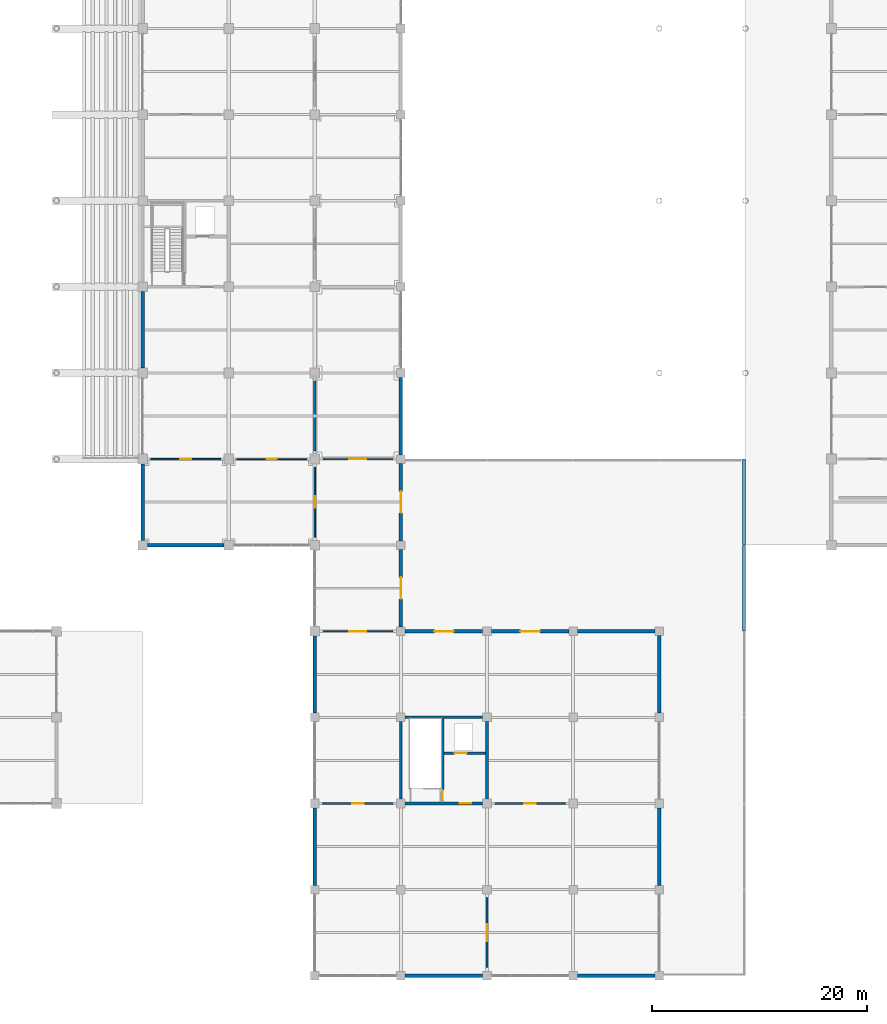
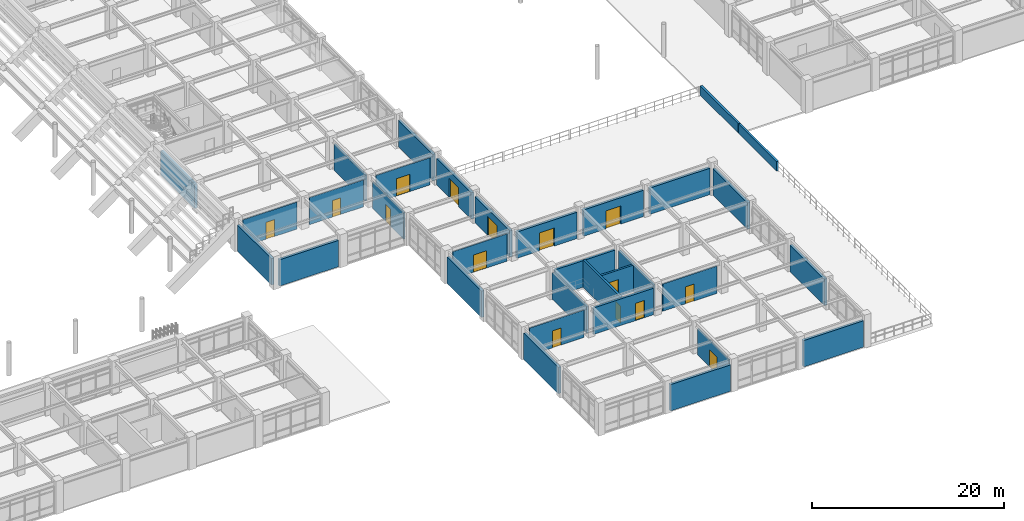
# One storey, part 90 of 118: 32 walls, 15 doors, 15 openings.
"""IFC4 building model written with IfcOpenShell, lengths in metres."""

import ifcopenshell
import ifcopenshell.guid

model = None  # the IFC model being written
_history = None  # IfcOwnerHistory: only IFC2X3 demands one
_inside = {}  # id of a spatial element -> (the spatial element, [elements in it])
_under = {}  # id of a project, library or spatial element -> (it, [spatial elements below it])
_declared = {}  # id of a project -> (the project, [libraries it declares])
_typed = {}  # id of a type object -> (the type object, [elements of that type])
_made_of = {}  # id of a material, layer set ... -> (it, [elements and type objects made of it])


def new_model(schema):
    """Start an empty IFC model of exactly this schema.

    Asked for "IFC4X3", IfcOpenShell would pick the latest addendum, in which some entities
    have other attributes; the version numbers below select the first issue.
    IFC2X3 requires an IfcOwnerHistory on every rooted entity: one is made here for all.
    """
    global model, _history
    if schema == "IFC4X3":
        model = ifcopenshell.file(schema_version=(4, 3, 0, 0))
    else:
        model = ifcopenshell.file(schema=schema)
    _inside.clear()
    _under.clear()
    _declared.clear()
    _typed.clear()
    _made_of.clear()
    _history = None
    if model.schema == "IFC2X3":
        org = make("IfcOrganization", Name="unknown")
        user = make(
            "IfcPersonAndOrganization",
            ThePerson=make("IfcPerson", FamilyName="unknown"),
            TheOrganization=org,
        )
        app = make(
            "IfcApplication",
            ApplicationDeveloper=org,
            Version="unknown",
            ApplicationFullName="unknown",
            ApplicationIdentifier="unknown",
        )
        _history = make(
            "IfcOwnerHistory",
            OwningUser=user,
            OwningApplication=app,
            ChangeAction="ADDED",
            CreationDate=0,
        )
    return model


def make(cls, **values):
    """One entity of the class cls with the attributes given. An attribute that is None is left unset."""
    return model.create_entity(
        cls, **{name: value for name, value in values.items() if value is not None}
    )


def rooted(cls, **values):
    """An entity with a GlobalId (a new one), such as an element, a storey or a relation."""
    return make(cls, GlobalId=ifcopenshell.guid.new(), OwnerHistory=_history, **values)


def si_unit(unit_type, name, prefix=None):
    """IfcSIUnit, for example si_unit("LENGTHUNIT", "METRE", prefix="MILLI")."""
    return make("IfcSIUnit", UnitType=unit_type, Prefix=prefix, Name=name)


def assignment(units):
    """IfcUnitAssignment: the units of a project."""
    return None if units is None else make("IfcUnitAssignment", Units=units)


def point(xyz):
    """IfcCartesianPoint."""
    return None if xyz is None else make("IfcCartesianPoint", Coordinates=xyz)


def direction(xyz):
    """IfcDirection."""
    return None if xyz is None else make("IfcDirection", DirectionRatios=xyz)


def frame(location, z_axis=None, x_axis=None):
    """IfcAxis2Placement3D, a coordinate frame: its origin and axes. An axis left out is left unset."""
    return make(
        "IfcAxis2Placement3D",
        Location=point(location),
        Axis=direction(z_axis),
        RefDirection=direction(x_axis),
    )


def frame_2d(location, x_axis=None):
    """IfcAxis2Placement2D, a coordinate frame in the plane: its origin and x axis."""
    return make(
        "IfcAxis2Placement2D", Location=point(location), RefDirection=direction(x_axis)
    )


def origin():
    """The frame at (0, 0, 0) with its axes left unset."""
    return frame((0.0, 0.0, 0.0))


def place(relative_to, where):
    """IfcLocalPlacement: puts the frame where relative to a parent placement (None: the world)."""
    return make(
        "IfcLocalPlacement", PlacementRelTo=relative_to, RelativePlacement=where
    )


def context(
    kind, dimensions, precision=None, world=None, true_north=None, identifier=None
):
    """IfcGeometricRepresentationContext, for example the 3D "Model" context."""
    return make(
        "IfcGeometricRepresentationContext",
        ContextIdentifier=identifier,
        ContextType=kind,
        CoordinateSpaceDimension=dimensions,
        Precision=precision,
        WorldCoordinateSystem=world,
        TrueNorth=true_north,
    )


def subcontext(parent, identifier, kind, view, scale=None):
    """IfcGeometricRepresentationSubContext, for example "Body" below "Model"."""
    return make(
        "IfcGeometricRepresentationSubContext",
        ContextIdentifier=identifier,
        ContextType=kind,
        ParentContext=parent,
        TargetScale=scale,
        TargetView=view,
    )


def project(units=None, contexts=None):
    """IfcProject with its units and contexts."""
    return rooted(
        "IfcProject",
        Name="project",
        RepresentationContexts=contexts,
        UnitsInContext=assignment(units),
    )


def spatial(cls, under=None, at=None, **own):
    """A site, building, storey or space (cls), placed at a placement, below another one or the project."""
    s = rooted(cls, ObjectPlacement=at, **own)
    if under is not None:
        _under.setdefault(under.id(), (under, []))[1].append(s)
    return s


def profile(cls, at=None, kind="AREA", **sizes):
    """A parametric profile (cls). Its sizes go by their IFC names, for example OverallWidth=200.0."""
    return make(cls, ProfileType=kind, Position=at, **sizes)


def rectangle(**sizes):
    """IfcRectangleProfileDef."""
    return profile("IfcRectangleProfileDef", **sizes)


def extrude(swept, where, along, depth):
    """IfcExtrudedAreaSolid: the profile swept, set in the frame where, extruded along a direction by depth."""
    return make(
        "IfcExtrudedAreaSolid",
        SweptArea=swept,
        Position=where,
        ExtrudedDirection=direction(along),
        Depth=depth,
    )


def shape(context_of_items, identifier, shape_type, items):
    """IfcShapeRepresentation: the items that make up one representation, for example the "Body"."""
    return make(
        "IfcShapeRepresentation",
        ContextOfItems=context_of_items,
        RepresentationIdentifier=identifier,
        RepresentationType=shape_type,
        Items=items,
    )


def material(Name=None, Category=None):
    """IfcMaterial."""
    return make("IfcMaterial", Name=Name, Category=Category)


def layer(
    of_material, thickness, ventilated=None, Name=None, Category=None, Priority=None
):
    """IfcMaterialLayer: one layer of a wall or slab, of a material (None: an air gap)."""
    return make(
        "IfcMaterialLayer",
        Material=of_material,
        LayerThickness=thickness,
        IsVentilated=ventilated,
        Name=Name,
        Category=Category,
        Priority=Priority,
    )


def layer_set(layers, Name=None):
    """IfcMaterialLayerSet."""
    return make("IfcMaterialLayerSet", MaterialLayers=layers, LayerSetName=Name)


def made_of(thing, what):
    """Note that an element or type object is made of a material, layer set ...; save() writes the relation."""
    if what is not None:
        _made_of.setdefault(what.id(), (what, []))[1].append(thing)
    return thing


def type_object(cls, material=None, **own):
    """A type object (cls), such as IfcWallType, which elements share."""
    return made_of(rooted(cls, **own), material)


def element(
    cls,
    number,
    at=None,
    inside=None,
    cuts=None,
    type_object=None,
    material=None,
    context=None,
    identifier="Body",
    shape_type=None,
    held_by="IfcProductDefinitionShape",
    body=None,
    shapes=None,
    **own,
):
    """One element of the class cls, such as IfcWall. Its Tag is "e" and its number.

    at: its placement. inside: the storey or other place that contains it. cuts: it is an
    opening in that element (IfcRelVoidsElement). A single representation is given by context,
    identifier, shape_type and body (its items); several are given by shapes. held_by: the class
    of the entity that holds the representations. save() writes the other relations.
    """
    e = rooted(cls, Tag="e%d" % number, ObjectPlacement=at, **own)
    if body is not None:
        shapes = [shape(context, identifier, shape_type, body)]
    if shapes is not None:
        e.Representation = make(held_by, Representations=shapes)
    if inside is not None:
        _inside.setdefault(inside.id(), (inside, []))[1].append(e)
    if cuts is not None:
        rooted(
            "IfcRelVoidsElement", RelatingBuildingElement=cuts, RelatedOpeningElement=e
        )
    if type_object is not None:
        _typed.setdefault(type_object.id(), (type_object, []))[1].append(e)
    return made_of(e, material)


def fill(opening, filler):
    """IfcRelFillsElement: the door or window that sits in an opening."""
    return rooted(
        "IfcRelFillsElement",
        RelatingOpeningElement=opening,
        RelatedBuildingElement=filler,
    )


def aggregate(whole, parts):
    """IfcRelAggregates: a whole, such as a stair, and the parts it consists of."""
    return rooted("IfcRelAggregates", RelatingObject=whole, RelatedObjects=parts)


def save(model, path):
    """Write the relations noted so far, then the file.

    IfcRelAggregates (storeys below a building ...), IfcRelContainedInSpatialStructure (elements
    in a storey), IfcRelDefinesByType, IfcRelAssociatesMaterial and IfcRelDeclares: one each for
    every whole, place, type object, material and project.
    """
    for whole, parts in _under.values():
        aggregate(whole, parts)
    for where, things in _inside.values():
        rooted(
            "IfcRelContainedInSpatialStructure",
            RelatedElements=things,
            RelatingStructure=where,
        )
    for kind, things in _typed.values():
        rooted("IfcRelDefinesByType", RelatedObjects=things, RelatingType=kind)
    for what, things in _made_of.values():
        rooted("IfcRelAssociatesMaterial", RelatedObjects=things, RelatingMaterial=what)
    for by, libraries in _declared.values():
        rooted("IfcRelDeclares", RelatingContext=by, RelatedDefinitions=libraries)
    model.write(path)


model = new_model("IFC4")

# Units and contexts
model_context = context("Model", 3, precision=1e-05, world=origin(), true_north=direction((0.0, 1.0)))
body_context = subcontext(model_context, "Body", "Model", "MODEL_VIEW")
ifc_project = project(units=[si_unit("LENGTHUNIT", "METRE"), si_unit("AREAUNIT", "SQUARE_METRE"), si_unit("VOLUMEUNIT", "CUBIC_METRE"), si_unit("PLANEANGLEUNIT", "RADIAN"), si_unit("MASSUNIT", "GRAM", prefix="KILO")], contexts=[model_context])

# Site, building, storey
site_placement = place(None, origin())
site = spatial("IfcSite", under=ifc_project, at=site_placement, CompositionType="ELEMENT")
building_placement = place(site_placement, origin())
building = spatial("IfcBuilding", under=site, at=building_placement, Name="Haebicheon Civic Stadium", CompositionType="ELEMENT")
storey_placement = place(building_placement, frame((0.0, 0.0, 14.39990234375)))
storey = spatial("IfcBuildingStorey", under=building, at=storey_placement, Name="L04", CompositionType="ELEMENT", Elevation=14.39990234375)

# Wall, opening, door
ifc_material_1 = material(Name="Concrete C40/50", Category="concrete")
ifc_layer_1 = layer(ifc_material_1, 0.239990234375, Name="Concrete C40/50")
ifc_layer_set_1 = layer_set([ifc_layer_1], Name="Concrete C40/50")
wall_type_1 = type_object("IfcWallType", Name="CW-SHR-240", PredefinedType="SHEAR", material=ifc_layer_set_1)
wall_1_placement = place(storey_placement, frame((168.39990234375, 16.0, 0.0), z_axis=(0.0, 0.0, 1.0), x_axis=(1.0, 0.0, 0.0)))
wall_1 = element("IfcWall", 1, at=wall_1_placement, inside=storey, type_object=wall_type_1, material=ifc_layer_set_1, Name="KC-14 L04 south core shear wall", PredefinedType="SHEAR", context=body_context, shape_type="SweptSolid", body=[
    extrude(rectangle(XDim=7.2001953125, YDim=0.239990234375, at=frame_2d((3.60009765625, 0.0))), origin(), (0.0, 0.0, 1.0), 3.3701171875),
])
opening_1_placement = place(wall_1_placement, frame((5.050048828125, 0.0, 0.0)))
opening_1 = element("IfcOpeningElement", 2, at=opening_1_placement, cuts=wall_1, Name="Opening D-L04-KC-14-LOB", PredefinedType="OPENING", context=body_context, shape_type="SweptSolid", body=[
    extrude(rectangle(XDim=1.10009765625, YDim=2.199951171875, at=frame_2d((0.550048828125, 1.10009765625))), frame((0.0, 0.1298828125, 0.0), z_axis=(0.0, -1.0, 0.0), x_axis=(1.0, 0.0, 0.0)), (0.0, 0.0, 1.0), 0.260009765625),
])
ifc_material_2 = material(Name="Galvanised painted steel SM355", Category="steel")
door_type_1 = type_object("IfcDoorType", Name="ID-FD-1100", OperationType="NOTDEFINED", PredefinedType="DOOR", material=ifc_material_2)
door_1_placement = place(opening_1_placement, origin())
door_1 = element("IfcDoor", 3, at=door_1_placement, inside=storey, type_object=door_type_1, material=ifc_material_2, Name="L04 KC-14 lobby fire door", OperationType="SINGLE_SWING_RIGHT", OverallHeight=2.199951171875, OverallWidth=1.10009765625, PredefinedType="DOOR", context=body_context, shape_type="SweptSolid", body=[
    extrude(rectangle(XDim=1.10009765625, YDim=2.199951171875, at=frame_2d((0.550048828125, 1.10009765625))), frame((0.0, 0.02490234375, 0.0), z_axis=(0.0, -1.0, 0.0), x_axis=(1.0, 0.0, 0.0)), (0.0, 0.0, 1.0), 0.050048828125),
])
fill(opening_1, door_1)

# Walls
for number, where, z_axis, x_axis, name in (
    (4, (168.39990234375, 24.0, 0.0), (0.0, 0.0, 1.0), (1.0, 0.0, 0.0), "KC-14 L04 north core shear wall"),
    (5, (168.0, 16.39990234375, 0.0), (0.0, 0.0, 1.0), (0.0, 1.0, 0.0), "KC-14 L04 west core shear wall"),
    (6, (176.0, 16.39990234375, 0.0), (0.0, 0.0, 1.0), (0.0, 1.0, 0.0), "KC-14 L04 east core shear wall"),
):
    element("IfcWall", number, at=place(storey_placement, frame(where, z_axis=z_axis, x_axis=x_axis)), inside=storey, type_object=wall_type_1, material=ifc_layer_set_1, Name=name, PredefinedType="SHEAR", context=body_context, shape_type="SweptSolid", body=[
        extrude(rectangle(XDim=7.2001953125, YDim=0.239990234375, at=frame_2d((3.60009765625, 0.0))), origin(), (0.0, 0.0, 1.0), 3.3701171875),
    ])

# Wall, opening, door
wall_2_placement = place(storey_placement, frame((171.8798828125, 16.1201171875, 0.0), z_axis=(0.0, 0.0, 1.0), x_axis=(0.0, 1.0, 0.0)))
wall_2 = element("IfcWall", 7, at=wall_2_placement, inside=storey, type_object=wall_type_1, material=ifc_layer_set_1, Name="KC-14 L04 stair-lobby dividing shear wall", PredefinedType="SHEAR", context=body_context, shape_type="SweptSolid", body=[
    extrude(rectangle(XDim=7.759765625, YDim=0.239990234375, at=frame_2d((3.8798828125, 0.0))), origin(), (0.0, 0.0, 1.0), 3.47021484375),
])
opening_2_placement = place(wall_2_placement, frame((0.080078125, 0.0, 0.0)))
opening_2 = element("IfcOpeningElement", 8, at=opening_2_placement, cuts=wall_2, Name="Opening D-L04-KC-14-STR", PredefinedType="OPENING", context=body_context, shape_type="SweptSolid", body=[
    extrude(rectangle(XDim=1.050048828125, YDim=2.14990234375, at=frame_2d((0.52490234375, 1.074951171875))), frame((0.0, 0.1298828125, 0.0), z_axis=(0.0, -1.0, 0.0), x_axis=(1.0, 0.0, 0.0)), (0.0, 0.0, 1.0), 0.260009765625),
])
ifc_material_3 = material(Name="Galvanised painted steel SM355", Category="steel")
door_type_2 = type_object("IfcDoorType", Name="ID-FD-1050", OperationType="NOTDEFINED", PredefinedType="DOOR", material=ifc_material_3)
door_2_placement = place(opening_2_placement, origin())
door_2 = element("IfcDoor", 9, at=door_2_placement, inside=storey, type_object=door_type_2, material=ifc_material_3, Name="L04 ST-14 stairwell escape door", OperationType="SINGLE_SWING_LEFT", OverallHeight=2.14990234375, OverallWidth=1.050048828125, PredefinedType="DOOR", context=body_context, shape_type="SweptSolid", body=[
    extrude(rectangle(XDim=1.050048828125, YDim=2.14990234375, at=frame_2d((0.52490234375, 1.074951171875))), frame((0.0, 0.02490234375, 0.0), z_axis=(0.0, -1.0, 0.0), x_axis=(1.0, 0.0, 0.0)), (0.0, 0.0, 1.0), 0.050048828125),
])
fill(opening_2, door_2)

wall_3_placement = place(storey_placement, frame((172.0, 20.679931640625, 0.0), z_axis=(0.0, 0.0, 1.0), x_axis=(1.0, 0.0, 0.0)))
wall_3 = element("IfcWall", 10, at=wall_3_placement, inside=storey, type_object=wall_type_1, material=ifc_layer_set_1, Name="KC-14 L04 lift shaft front wall", PredefinedType="SHEAR", context=body_context, shape_type="SweptSolid", body=[
    extrude(rectangle(XDim=3.8798828125, YDim=0.239990234375, at=frame_2d((1.93994140625, 0.0))), origin(), (0.0, 0.0, 1.0), 3.3701171875),
])
opening_3_placement = place(wall_3_placement, frame((1.0, 0.0, 0.0)))
opening_3 = element("IfcOpeningElement", 11, at=opening_3_placement, cuts=wall_3, Name="Opening LD-10-L04", PredefinedType="OPENING", context=body_context, shape_type="SweptSolid", body=[
    extrude(rectangle(XDim=1.10009765625, YDim=2.14990234375, at=frame_2d((0.550048828125, 1.074951171875))), frame((0.0, 0.1298828125, 0.0), z_axis=(0.0, -1.0, 0.0), x_axis=(1.0, 0.0, 0.0)), (0.0, 0.0, 1.0), 0.260009765625),
])
ifc_material_4 = material(Name="Stainless steel 316", Category="steel")
door_type_3 = type_object("IfcDoorType", Name="ID-LD-1100", OperationType="NOTDEFINED", PredefinedType="DOOR", material=ifc_material_4)
door_3_placement = place(opening_3_placement, origin())
door_3 = element("IfcDoor", 12, at=door_3_placement, inside=storey, type_object=door_type_3, material=ifc_material_4, Name="LF-10 lift landing sliding door L04", OperationType="SLIDING_TO_LEFT", OverallHeight=2.14990234375, OverallWidth=1.10009765625, PredefinedType="DOOR", context=body_context, shape_type="SweptSolid", body=[
    extrude(rectangle(XDim=1.10009765625, YDim=2.14990234375, at=frame_2d((0.550048828125, 1.074951171875))), frame((0.0, 0.02490234375, 0.0), z_axis=(0.0, -1.0, 0.0), x_axis=(1.0, 0.0, 0.0)), (0.0, 0.0, 1.0), 0.050048828125),
])
fill(opening_3, door_3)

# Walls
ifc_material_5 = material(Name="Precast concrete C40/50", Category="concrete")
ifc_layer_2 = layer(ifc_material_5, 0.320068359375, Name="Precast concrete C40/50")
ifc_layer_set_2 = layer_set([ifc_layer_2], Name="Precast concrete C40/50")
wall_type_2 = type_object("IfcWallType", Name="EW-BM-320", PredefinedType="SOLIDWALL", material=ifc_layer_set_2)
wall_4_placement = place(storey_placement, frame((144.449951171875, 40.0, 0.0), z_axis=(0.0, 0.0, 1.0), x_axis=(1.0, 0.0, 0.0)))
element("IfcWall", 13, at=wall_4_placement, inside=storey, type_object=wall_type_2, material=ifc_layer_set_2, Name="L04 board-marked concrete facade wall 18-05-S", PredefinedType="SOLIDWALL", context=body_context, shape_type="SweptSolid", body=[
    extrude(rectangle(XDim=7.10009765625, YDim=0.320068359375, at=frame_2d((3.550048828125, 0.0))), origin(), (0.0, 0.0, 1.0), 3.35009765625),
])
wall_5_placement = place(storey_placement, frame((144.0, 40.449951171875, 0.0), z_axis=(0.0, 0.0, 1.0), x_axis=(0.0, 1.0, 0.0)))
element("IfcWall", 14, at=wall_5_placement, inside=storey, type_object=wall_type_2, material=ifc_layer_set_2, Name="L04 board-marked concrete facade wall 18-05-W", PredefinedType="SOLIDWALL", context=body_context, shape_type="SweptSolid", body=[
    extrude(rectangle(XDim=7.10009765625, YDim=0.320068359375, at=frame_2d((3.550048828125, 0.0))), origin(), (0.0, 0.0, 1.0), 3.330078125),
])
wall_6_placement = place(storey_placement, frame((144.0, 56.449951171875, 0.0), z_axis=(0.0, 0.0, 1.0), x_axis=(0.0, 1.0, 0.0)))
element("IfcWall", 15, at=wall_6_placement, inside=storey, type_object=wall_type_2, material=ifc_layer_set_2, Name="L04 board-marked concrete facade wall 18-07-W", PredefinedType="SOLIDWALL", context=body_context, shape_type="SweptSolid", body=[
    extrude(rectangle(XDim=7.10009765625, YDim=0.320068359375, at=frame_2d((3.550048828125, 0.0))), origin(), (0.0, 0.0, 1.0), 3.10009765625),
])
wall_7_placement = place(storey_placement, frame((160.0, 8.39990234375, 0.0), z_axis=(0.0, 0.0, 1.0), x_axis=(0.0, 1.0, 0.0)))
element("IfcWall", 16, at=wall_7_placement, inside=storey, type_object=wall_type_2, material=ifc_layer_set_2, Name="L04 board-marked concrete facade wall 20-01-W", PredefinedType="SOLIDWALL", context=body_context, shape_type="SweptSolid", body=[
    extrude(rectangle(XDim=7.2001953125, YDim=0.320068359375, at=frame_2d((3.60009765625, 0.0))), origin(), (0.0, 0.0, 1.0), 3.35009765625),
])
wall_8_placement = place(storey_placement, frame((160.0, 24.39990234375, 0.0), z_axis=(0.0, 0.0, 1.0), x_axis=(0.0, 1.0, 0.0)))
element("IfcWall", 17, at=wall_8_placement, inside=storey, type_object=wall_type_2, material=ifc_layer_set_2, Name="L04 board-marked concrete facade wall 20-03-W", PredefinedType="SOLIDWALL", context=body_context, shape_type="SweptSolid", body=[
    extrude(rectangle(XDim=7.150146484375, YDim=0.320068359375, at=frame_2d((3.5751953125, 0.0))), origin(), (0.0, 0.0, 1.0), 3.35009765625),
])

# Wall, opening, door
wall_9_placement = place(storey_placement, frame((168.0, 32.39990234375, 0.0), z_axis=(0.0, 0.0, 1.0), x_axis=(0.0, 1.0, 0.0)))
wall_9 = element("IfcWall", 18, at=wall_9_placement, inside=storey, type_object=wall_type_2, material=ifc_layer_set_2, Name="L04 board-marked concrete facade wall 21-04-E", PredefinedType="SOLIDWALL", context=body_context, shape_type="SweptSolid", body=[
    extrude(rectangle(XDim=7.2001953125, YDim=0.320068359375, at=frame_2d((3.60009765625, 0.0))), origin(), (0.0, 0.0, 1.0), 3.35009765625),
])
opening_4_placement = place(wall_9_placement, frame((2.60009765625, 0.0, 0.0)))
opening_4 = element("IfcOpeningElement", 19, at=opening_4_placement, cuts=wall_9, Name="Opening TR-D01", PredefinedType="OPENING", context=body_context, shape_type="SweptSolid", body=[
    extrude(rectangle(XDim=2.0, YDim=2.39990234375, at=frame_2d((1.0, 1.199951171875))), frame((0.0, 0.169921875, 0.0), z_axis=(0.0, -1.0, 0.0), x_axis=(1.0, 0.0, 0.0)), (0.0, 0.0, 1.0), 0.340087890625),
])
ifc_material_6 = material(Name="Anodised aluminium and laminated glass", Category="aluminium")
door_type_4 = type_object("IfcDoorType", Name="ED-TERR-2000", OperationType="NOTDEFINED", PredefinedType="DOOR", material=ifc_material_6)
door_4_placement = place(opening_4_placement, origin())
door_4 = element("IfcDoor", 20, at=door_4_placement, inside=storey, type_object=door_type_4, material=ifc_material_6, Name="Terrace exit double door TR-01", OperationType="DOUBLE_SWING_LEFT", OverallHeight=2.39990234375, OverallWidth=2.0, PredefinedType="DOOR", context=body_context, shape_type="SweptSolid", body=[
    extrude(rectangle(XDim=2.0, YDim=2.39990234375, at=frame_2d((1.0, 1.199951171875))), frame((0.0, 0.02490234375, 0.0), z_axis=(0.0, -1.0, 0.0), x_axis=(1.0, 0.0, 0.0)), (0.0, 0.0, 1.0), 0.050048828125),
])
fill(opening_4, door_4)

wall_10_placement = place(storey_placement, frame((168.0, 40.39990234375, 0.0), z_axis=(0.0, 0.0, 1.0), x_axis=(0.0, 1.0, 0.0)))
wall_10 = element("IfcWall", 21, at=wall_10_placement, inside=storey, type_object=wall_type_2, material=ifc_layer_set_2, Name="L04 board-marked concrete facade wall 21-05-E", PredefinedType="SOLIDWALL", context=body_context, shape_type="SweptSolid", body=[
    extrude(rectangle(XDim=7.2001953125, YDim=0.320068359375, at=frame_2d((3.60009765625, 0.0))), origin(), (0.0, 0.0, 1.0), 3.35009765625),
])
opening_5_placement = place(wall_10_placement, frame((2.60009765625, 0.0, 0.0)))
opening_5 = element("IfcOpeningElement", 22, at=opening_5_placement, cuts=wall_10, Name="Opening TR-D02", PredefinedType="OPENING", context=body_context, shape_type="SweptSolid", body=[
    extrude(rectangle(XDim=2.0, YDim=2.39990234375, at=frame_2d((1.0, 1.199951171875))), frame((0.0, 0.169921875, 0.0), z_axis=(0.0, -1.0, 0.0), x_axis=(1.0, 0.0, 0.0)), (0.0, 0.0, 1.0), 0.340087890625),
])
door_5_placement = place(opening_5_placement, origin())
door_5 = element("IfcDoor", 23, at=door_5_placement, inside=storey, type_object=door_type_4, material=ifc_material_6, Name="Terrace exit double door TR-02", OperationType="DOUBLE_SWING_LEFT", OverallHeight=2.39990234375, OverallWidth=2.0, PredefinedType="DOOR", context=body_context, shape_type="SweptSolid", body=[
    extrude(rectangle(XDim=2.0, YDim=2.39990234375, at=frame_2d((1.0, 1.199951171875))), frame((0.0, 0.02490234375, 0.0), z_axis=(0.0, -1.0, 0.0), x_axis=(1.0, 0.0, 0.0)), (0.0, 0.0, 1.0), 0.050048828125),
])
fill(opening_5, door_5)

# Walls
for number, where, z_axis, x_axis, name in (
    (24, (168.0, 48.39990234375, 0.0), (0.0, 0.0, 1.0), (0.0, 1.0, 0.0), "L04 board-marked concrete facade wall 21-06-E"),
    (25, (168.39990234375, 0.0, 0.0), (0.0, 0.0, 1.0), (1.0, 0.0, 0.0), "L04 board-marked concrete facade wall 21-00-S"),
):
    element("IfcWall", number, at=place(storey_placement, frame(where, z_axis=z_axis, x_axis=x_axis)), inside=storey, type_object=wall_type_2, material=ifc_layer_set_2, Name=name, PredefinedType="SOLIDWALL", context=body_context, shape_type="SweptSolid", body=[
        extrude(rectangle(XDim=7.2001953125, YDim=0.320068359375, at=frame_2d((3.60009765625, 0.0))), origin(), (0.0, 0.0, 1.0), 3.35009765625),
    ])

# Wall, opening, door
wall_11_placement = place(storey_placement, frame((168.39990234375, 32.0, 0.0), z_axis=(0.0, 0.0, 1.0), x_axis=(1.0, 0.0, 0.0)))
wall_11 = element("IfcWall", 26, at=wall_11_placement, inside=storey, type_object=wall_type_2, material=ifc_layer_set_2, Name="L04 board-marked concrete facade wall 21-04-N", PredefinedType="SOLIDWALL", context=body_context, shape_type="SweptSolid", body=[
    extrude(rectangle(XDim=7.2001953125, YDim=0.320068359375, at=frame_2d((3.60009765625, 0.0))), origin(), (0.0, 0.0, 1.0), 3.35009765625),
])
opening_6_placement = place(wall_11_placement, frame((2.699951171875, 0.0, 0.0)))
opening_6 = element("IfcOpeningElement", 27, at=opening_6_placement, cuts=wall_11, Name="Opening TR-D04", PredefinedType="OPENING", context=body_context, shape_type="SweptSolid", body=[
    extrude(rectangle(XDim=1.800048828125, YDim=2.300048828125, at=frame_2d((0.89990234375, 1.14990234375))), frame((0.0, 0.169921875, 0.0), z_axis=(0.0, -1.0, 0.0), x_axis=(1.0, 0.0, 0.0)), (0.0, 0.0, 1.0), 0.340087890625),
])
ifc_material_7 = material(Name="Anodised aluminium and laminated glass", Category="aluminium")
door_type_5 = type_object("IfcDoorType", Name="ED-TERR-1800", OperationType="NOTDEFINED", PredefinedType="DOOR", material=ifc_material_7)
door_6_placement = place(opening_6_placement, origin())
door_6 = element("IfcDoor", 28, at=door_6_placement, inside=storey, type_object=door_type_5, material=ifc_material_7, Name="Terrace exit double door TR-04", OperationType="DOUBLE_SWING_LEFT", OverallHeight=2.300048828125, OverallWidth=1.800048828125, PredefinedType="DOOR", context=body_context, shape_type="SweptSolid", body=[
    extrude(rectangle(XDim=1.800048828125, YDim=2.300048828125, at=frame_2d((0.89990234375, 1.14990234375))), frame((0.0, 0.02490234375, 0.0), z_axis=(0.0, -1.0, 0.0), x_axis=(1.0, 0.0, 0.0)), (0.0, 0.0, 1.0), 0.050048828125),
])
fill(opening_6, door_6)

wall_12_placement = place(storey_placement, frame((176.39990234375, 32.0, 0.0), z_axis=(0.0, 0.0, 1.0), x_axis=(1.0, 0.0, 0.0)))
wall_12 = element("IfcWall", 29, at=wall_12_placement, inside=storey, type_object=wall_type_2, material=ifc_layer_set_2, Name="L04 board-marked concrete facade wall 22-04-N", PredefinedType="SOLIDWALL", context=body_context, shape_type="SweptSolid", body=[
    extrude(rectangle(XDim=7.2001953125, YDim=0.320068359375, at=frame_2d((3.60009765625, 0.0))), origin(), (0.0, 0.0, 1.0), 3.35009765625),
])
opening_7_placement = place(wall_12_placement, frame((2.699951171875, 0.0, 0.0)))
opening_7 = element("IfcOpeningElement", 30, at=opening_7_placement, cuts=wall_12, Name="Opening TR-D06", PredefinedType="OPENING", context=body_context, shape_type="SweptSolid", body=[
    extrude(rectangle(XDim=1.800048828125, YDim=2.300048828125, at=frame_2d((0.89990234375, 1.14990234375))), frame((0.0, 0.169921875, 0.0), z_axis=(0.0, -1.0, 0.0), x_axis=(1.0, 0.0, 0.0)), (0.0, 0.0, 1.0), 0.340087890625),
])
door_7_placement = place(opening_7_placement, origin())
door_7 = element("IfcDoor", 31, at=door_7_placement, inside=storey, type_object=door_type_5, material=ifc_material_7, Name="Terrace exit double door TR-06", OperationType="DOUBLE_SWING_LEFT", OverallHeight=2.300048828125, OverallWidth=1.800048828125, PredefinedType="DOOR", context=body_context, shape_type="SweptSolid", body=[
    extrude(rectangle(XDim=1.800048828125, YDim=2.300048828125, at=frame_2d((0.89990234375, 1.14990234375))), frame((0.0, 0.02490234375, 0.0), z_axis=(0.0, -1.0, 0.0), x_axis=(1.0, 0.0, 0.0)), (0.0, 0.0, 1.0), 0.050048828125),
])
fill(opening_7, door_7)

# Walls
for number, where, z_axis, x_axis, name in (
    (32, (184.39990234375, 0.0, 0.0), (0.0, 0.0, 1.0), (1.0, 0.0, 0.0), "L04 board-marked concrete facade wall 23-00-S"),
    (33, (192.0, 8.39990234375, 0.0), (0.0, 0.0, 1.0), (0.0, 1.0, 0.0), "L04 board-marked concrete facade wall 24-01-E"),
    (34, (184.39990234375, 32.0, 0.0), (0.0, 0.0, 1.0), (1.0, 0.0, 0.0), "L04 board-marked concrete facade wall 23-04-N"),
    (35, (192.0, 24.39990234375, 0.0), (0.0, 0.0, 1.0), (0.0, 1.0, 0.0), "L04 board-marked concrete facade wall 24-03-E"),
):
    element("IfcWall", number, at=place(storey_placement, frame(where, z_axis=z_axis, x_axis=x_axis)), inside=storey, type_object=wall_type_2, material=ifc_layer_set_2, Name=name, PredefinedType="SOLIDWALL", context=body_context, shape_type="SweptSolid", body=[
        extrude(rectangle(XDim=7.2001953125, YDim=0.320068359375, at=frame_2d((3.60009765625, 0.0))), origin(), (0.0, 0.0, 1.0), 3.35009765625),
    ])
ifc_material_8 = material(Name="Precast concrete C40/50", Category="concrete")
ifc_layer_3 = layer(ifc_material_8, 0.25, Name="Precast concrete C40/50")
ifc_layer_set_3 = layer_set([ifc_layer_3], Name="Precast concrete C40/50")
wall_type_3 = type_object("IfcWallType", Name="EW-PAR-250", PredefinedType="PARAPET", material=ifc_layer_set_3)
for number, where, z_axis, x_axis, name in (
    (36, (199.8701171875, 32.0400390625, 0.0), (0.0, 0.0, 1.0), (0.0, 1.0, 0.0), "L04 terrace perimeter parapet 24-04-E"),
    (37, (199.8701171875, 40.0400390625, 0.0), (0.0, 0.0, 1.0), (0.0, 1.0, 0.0), "L04 terrace perimeter parapet 24-05-E"),
):
    element("IfcWall", number, at=place(storey_placement, frame(where, z_axis=z_axis, x_axis=x_axis)), inside=storey, type_object=wall_type_3, material=ifc_layer_set_3, Name=name, PredefinedType="PARAPET", context=body_context, shape_type="SweptSolid", body=[
        extrude(rectangle(XDim=7.919921875, YDim=0.25, at=frame_2d((3.9599609375, 0.0))), origin(), (0.0, 0.0, 1.0), 1.2001953125),
    ])
ifc_material_9 = material(Name="Concrete C35/45", Category="concrete")
ifc_layer_4 = layer(ifc_material_9, 0.199951171875, Name="Concrete C35/45")
ifc_layer_set_4 = layer_set([ifc_layer_4], Name="Concrete C35/45")
wall_type_4 = type_object("IfcWallType", Name="IW-FIR-200", PredefinedType="PARTITIONING", material=ifc_layer_set_4)
wall_13_placement = place(storey_placement, frame((160.0, 48.75, 0.0), z_axis=(0.0, 0.0, 1.0), x_axis=(0.0, 1.0, 0.0)))
element("IfcWall", 38, at=wall_13_placement, inside=storey, type_object=wall_type_4, material=ifc_layer_set_4, Name="L04 braced-frame solid fire wall 20-06", PredefinedType="PARTITIONING", context=body_context, shape_type="SweptSolid", body=[
    extrude(rectangle(XDim=6.5, YDim=0.199951171875, at=frame_2d((3.25, 0.0))), origin(), (0.0, 0.0, 1.0), 3.330078125),
])

# Wall, opening, door
ifc_material_10 = material(Name="Anodised aluminium and laminated glass", Category="aluminium")
ifc_layer_5 = layer(ifc_material_10, 0.10009765625, Name="Anodised aluminium and laminated glass")
ifc_layer_set_5 = layer_set([ifc_layer_5], Name="Anodised aluminium and laminated glass")
wall_type_5 = type_object("IfcWallType", Name="IW-PRT-100", PredefinedType="PARTITIONING", material=ifc_layer_set_5)
wall_14_placement = place(storey_placement, frame((152.75, 48.0, 0.0), z_axis=(0.0, 0.0, 1.0), x_axis=(1.0, 0.0, 0.0)))
wall_14 = element("IfcWall", 39, at=wall_14_placement, inside=storey, type_object=wall_type_5, material=ifc_layer_set_5, Name="L04 East Pitch View Lounge partition wall", PredefinedType="PARTITIONING", context=body_context, shape_type="SweptSolid", body=[
    extrude(rectangle(XDim=6.5, YDim=0.10009765625, at=frame_2d((3.25, 0.0))), origin(), (0.0, 0.0, 1.0), 3.43017578125),
])
opening_8_placement = place(wall_14_placement, frame((2.77490234375, 0.0, 0.0)))
opening_8 = element("IfcOpeningElement", 40, at=opening_8_placement, cuts=wall_14, Name="Opening D-L04-391", PredefinedType="OPENING", context=body_context, shape_type="SweptSolid", body=[
    extrude(rectangle(XDim=0.949951171875, YDim=2.10009765625, at=frame_2d((0.47509765625, 1.050048828125))), frame((0.0, 0.06005859375, 0.0), z_axis=(0.0, -1.0, 0.0), x_axis=(1.0, 0.0, 0.0)), (0.0, 0.0, 1.0), 0.1201171875),
])
ifc_material_11 = material(Name="Engineered hardwood timber", Category="wood")
door_type_6 = type_object("IfcDoorType", Name="ID-RM-0950", OperationType="NOTDEFINED", PredefinedType="DOOR", material=ifc_material_11)
door_8_placement = place(opening_8_placement, origin())
door_8 = element("IfcDoor", 41, at=door_8_placement, inside=storey, type_object=door_type_6, material=ifc_material_11, Name="L04 East Pitch View Lounge entrance door D-L04-391", OperationType="SINGLE_SWING_LEFT", OverallHeight=2.10009765625, OverallWidth=0.949951171875, PredefinedType="DOOR", context=body_context, shape_type="SweptSolid", body=[
    extrude(rectangle(XDim=0.949951171875, YDim=2.10009765625, at=frame_2d((0.47509765625, 1.050048828125))), frame((0.0, 0.02490234375, 0.0), z_axis=(0.0, -1.0, 0.0), x_axis=(1.0, 0.0, 0.0)), (0.0, 0.0, 1.0), 0.050048828125),
])
fill(opening_8, door_8)

ifc_material_12 = material(Name="Gypsum plasterboard on steel studs", Category="gypsum")
ifc_layer_6 = layer(ifc_material_12, 0.14990234375, Name="Gypsum plasterboard on steel studs")
ifc_layer_set_6 = layer_set([ifc_layer_6], Name="Gypsum plasterboard on steel studs")
wall_type_6 = type_object("IfcWallType", Name="IW-PRT-150", PredefinedType="PARTITIONING", material=ifc_layer_set_6)
wall_15_placement = place(storey_placement, frame((144.75, 48.0, 0.0), z_axis=(0.0, 0.0, 1.0), x_axis=(1.0, 0.0, 0.0)))
wall_15 = element("IfcWall", 42, at=wall_15_placement, inside=storey, type_object=wall_type_6, material=ifc_layer_set_6, Name="L04 Hospitality Suite partition wall", PredefinedType="PARTITIONING", context=body_context, shape_type="SweptSolid", body=[
    extrude(rectangle(XDim=6.5, YDim=0.14990234375, at=frame_2d((3.25, 0.0))), origin(), (0.0, 0.0, 1.0), 3.43017578125),
])
opening_9_placement = place(wall_15_placement, frame((2.72509765625, 0.0, 0.0)))
opening_9 = element("IfcOpeningElement", 43, at=opening_9_placement, cuts=wall_15, Name="Opening D-L04-390", PredefinedType="OPENING", context=body_context, shape_type="SweptSolid", body=[
    extrude(rectangle(XDim=1.050048828125, YDim=2.14990234375, at=frame_2d((0.52490234375, 1.074951171875))), frame((0.0, 0.0849609375, 0.0), z_axis=(0.0, -1.0, 0.0), x_axis=(1.0, 0.0, 0.0)), (0.0, 0.0, 1.0), 0.169921875),
])
ifc_material_13 = material(Name="Engineered hardwood timber", Category="wood")
door_type_7 = type_object("IfcDoorType", Name="ID-RM-1050", OperationType="NOTDEFINED", PredefinedType="DOOR", material=ifc_material_13)
door_9_placement = place(opening_9_placement, origin())
door_9 = element("IfcDoor", 44, at=door_9_placement, inside=storey, type_object=door_type_7, material=ifc_material_13, Name="L04 Hospitality Suite entrance door D-L04-390", OperationType="SINGLE_SWING_RIGHT", OverallHeight=2.14990234375, OverallWidth=1.050048828125, PredefinedType="DOOR", context=body_context, shape_type="SweptSolid", body=[
    extrude(rectangle(XDim=1.050048828125, YDim=2.14990234375, at=frame_2d((0.52490234375, 1.074951171875))), frame((0.0, 0.02490234375, 0.0), z_axis=(0.0, -1.0, 0.0), x_axis=(1.0, 0.0, 0.0)), (0.0, 0.0, 1.0), 0.050048828125),
])
fill(opening_9, door_9)

wall_16_placement = place(storey_placement, frame((160.75, 16.0, 0.0), z_axis=(0.0, 0.0, 1.0), x_axis=(1.0, 0.0, 0.0)))
wall_16 = element("IfcWall", 45, at=wall_16_placement, inside=storey, type_object=wall_type_6, material=ifc_layer_set_6, Name="L04 Hospitality Suite partition wall", PredefinedType="PARTITIONING", context=body_context, shape_type="SweptSolid", body=[
    extrude(rectangle(XDim=6.5, YDim=0.14990234375, at=frame_2d((3.25, 0.0))), origin(), (0.0, 0.0, 1.0), 3.47021484375),
])
opening_10_placement = place(wall_16_placement, frame((2.72509765625, 0.0, 0.0)))
opening_10 = element("IfcOpeningElement", 46, at=opening_10_placement, cuts=wall_16, Name="Opening D-L04-411", PredefinedType="OPENING", context=body_context, shape_type="SweptSolid", body=[
    extrude(rectangle(XDim=1.050048828125, YDim=2.14990234375, at=frame_2d((0.52490234375, 1.074951171875))), frame((0.0, 0.0849609375, 0.0), z_axis=(0.0, -1.0, 0.0), x_axis=(1.0, 0.0, 0.0)), (0.0, 0.0, 1.0), 0.169921875),
])
door_10_placement = place(opening_10_placement, origin())
door_10 = element("IfcDoor", 47, at=door_10_placement, inside=storey, type_object=door_type_7, material=ifc_material_13, Name="L04 Hospitality Suite entrance door D-L04-411", OperationType="SINGLE_SWING_LEFT", OverallHeight=2.14990234375, OverallWidth=1.050048828125, PredefinedType="DOOR", context=body_context, shape_type="SweptSolid", body=[
    extrude(rectangle(XDim=1.050048828125, YDim=2.14990234375, at=frame_2d((0.52490234375, 1.074951171875))), frame((0.0, 0.02490234375, 0.0), z_axis=(0.0, -1.0, 0.0), x_axis=(1.0, 0.0, 0.0)), (0.0, 0.0, 1.0), 0.050048828125),
])
fill(opening_10, door_10)

wall_17_placement = place(storey_placement, frame((160.75, 32.0, 0.0), z_axis=(0.0, 0.0, 1.0), x_axis=(1.0, 0.0, 0.0)))
wall_17 = element("IfcWall", 48, at=wall_17_placement, inside=storey, type_object=wall_type_6, material=ifc_layer_set_6, Name="L04 Garden Terrace Dining Lounge partition wall", PredefinedType="PARTITIONING", context=body_context, shape_type="SweptSolid", body=[
    extrude(rectangle(XDim=6.5, YDim=0.14990234375, at=frame_2d((3.25, 0.0))), origin(), (0.0, 0.0, 1.0), 3.47021484375),
])
opening_11_placement = place(wall_17_placement, frame((2.449951171875, 0.0, 0.0)))
opening_11 = element("IfcOpeningElement", 49, at=opening_11_placement, cuts=wall_17, Name="Opening D-L04-412", PredefinedType="OPENING", context=body_context, shape_type="SweptSolid", body=[
    extrude(rectangle(XDim=1.60009765625, YDim=2.199951171875, at=frame_2d((0.800048828125, 1.10009765625))), frame((0.0, 0.0849609375, 0.0), z_axis=(0.0, -1.0, 0.0), x_axis=(1.0, 0.0, 0.0)), (0.0, 0.0, 1.0), 0.169921875),
])
ifc_material_14 = material(Name="Anodised aluminium and laminated glass", Category="aluminium")
door_type_8 = type_object("IfcDoorType", Name="ID-DBL-1600", OperationType="NOTDEFINED", PredefinedType="DOOR", material=ifc_material_14)
door_11_placement = place(opening_11_placement, origin())
door_11 = element("IfcDoor", 50, at=door_11_placement, inside=storey, type_object=door_type_8, material=ifc_material_14, Name="L04 Garden Terrace Dining Lounge entrance door D-L04-412", OperationType="DOUBLE_SWING_LEFT", OverallHeight=2.199951171875, OverallWidth=1.60009765625, PredefinedType="DOOR", context=body_context, shape_type="SweptSolid", body=[
    extrude(rectangle(XDim=1.60009765625, YDim=2.199951171875, at=frame_2d((0.800048828125, 1.10009765625))), frame((0.0, 0.02490234375, 0.0), z_axis=(0.0, -1.0, 0.0), x_axis=(1.0, 0.0, 0.0)), (0.0, 0.0, 1.0), 0.050048828125),
])
fill(opening_11, door_11)

wall_18_placement = place(storey_placement, frame((160.0, 40.75, 0.0), z_axis=(0.0, 0.0, 1.0), x_axis=(0.0, 1.0, 0.0)))
wall_18 = element("IfcWall", 51, at=wall_18_placement, inside=storey, type_object=wall_type_6, material=ifc_layer_set_6, Name="L04 Hospitality Suite partition wall", PredefinedType="PARTITIONING", context=body_context, shape_type="SweptSolid", body=[
    extrude(rectangle(XDim=6.5, YDim=0.14990234375, at=frame_2d((3.25, 0.0))), origin(), (0.0, 0.0, 1.0), 3.3701171875),
])
opening_12_placement = place(wall_18_placement, frame((2.72509765625, 0.0, 0.0)))
opening_12 = element("IfcOpeningElement", 52, at=opening_12_placement, cuts=wall_18, Name="Opening D-L04-413", PredefinedType="OPENING", context=body_context, shape_type="SweptSolid", body=[
    extrude(rectangle(XDim=1.050048828125, YDim=2.14990234375, at=frame_2d((0.52490234375, 1.074951171875))), frame((0.0, 0.0849609375, 0.0), z_axis=(0.0, -1.0, 0.0), x_axis=(1.0, 0.0, 0.0)), (0.0, 0.0, 1.0), 0.169921875),
])
door_12_placement = place(opening_12_placement, origin())
door_12 = element("IfcDoor", 53, at=door_12_placement, inside=storey, type_object=door_type_7, material=ifc_material_13, Name="L04 Hospitality Suite entrance door D-L04-413", OperationType="SINGLE_SWING_RIGHT", OverallHeight=2.14990234375, OverallWidth=1.050048828125, PredefinedType="DOOR", context=body_context, shape_type="SweptSolid", body=[
    extrude(rectangle(XDim=1.050048828125, YDim=2.14990234375, at=frame_2d((0.52490234375, 1.074951171875))), frame((0.0, 0.02490234375, 0.0), z_axis=(0.0, -1.0, 0.0), x_axis=(1.0, 0.0, 0.0)), (0.0, 0.0, 1.0), 0.050048828125),
])
fill(opening_12, door_12)

wall_19_placement = place(storey_placement, frame((160.75, 48.0, 0.0), z_axis=(0.0, 0.0, 1.0), x_axis=(1.0, 0.0, 0.0)))
wall_19 = element("IfcWall", 54, at=wall_19_placement, inside=storey, type_object=wall_type_6, material=ifc_layer_set_6, Name="L04 Garden Terrace Dining Lounge partition wall", PredefinedType="PARTITIONING", context=body_context, shape_type="SweptSolid", body=[
    extrude(rectangle(XDim=6.5, YDim=0.14990234375, at=frame_2d((3.25, 0.0))), origin(), (0.0, 0.0, 1.0), 3.47021484375),
])
opening_13_placement = place(wall_19_placement, frame((2.449951171875, 0.0, 0.0)))
opening_13 = element("IfcOpeningElement", 55, at=opening_13_placement, cuts=wall_19, Name="Opening D-L04-414", PredefinedType="OPENING", context=body_context, shape_type="SweptSolid", body=[
    extrude(rectangle(XDim=1.60009765625, YDim=2.199951171875, at=frame_2d((0.800048828125, 1.10009765625))), frame((0.0, 0.0849609375, 0.0), z_axis=(0.0, -1.0, 0.0), x_axis=(1.0, 0.0, 0.0)), (0.0, 0.0, 1.0), 0.169921875),
])
door_13_placement = place(opening_13_placement, origin())
door_13 = element("IfcDoor", 56, at=door_13_placement, inside=storey, type_object=door_type_8, material=ifc_material_14, Name="L04 Garden Terrace Dining Lounge entrance door D-L04-414", OperationType="DOUBLE_SWING_LEFT", OverallHeight=2.199951171875, OverallWidth=1.60009765625, PredefinedType="DOOR", context=body_context, shape_type="SweptSolid", body=[
    extrude(rectangle(XDim=1.60009765625, YDim=2.199951171875, at=frame_2d((0.800048828125, 1.10009765625))), frame((0.0, 0.02490234375, 0.0), z_axis=(0.0, -1.0, 0.0), x_axis=(1.0, 0.0, 0.0)), (0.0, 0.0, 1.0), 0.050048828125),
])
fill(opening_13, door_13)

wall_20_placement = place(storey_placement, frame((176.0, 0.75, 0.0), z_axis=(0.0, 0.0, 1.0), x_axis=(0.0, 1.0, 0.0)))
wall_20 = element("IfcWall", 57, at=wall_20_placement, inside=storey, type_object=wall_type_6, material=ifc_layer_set_6, Name="L04 Garden Terrace Dining Lounge partition wall", PredefinedType="PARTITIONING", context=body_context, shape_type="SweptSolid", body=[
    extrude(rectangle(XDim=6.5, YDim=0.14990234375, at=frame_2d((3.25, 0.0))), origin(), (0.0, 0.0, 1.0), 3.3701171875),
])
opening_14_placement = place(wall_20_placement, frame((2.449951171875, 0.0, 0.0)))
opening_14 = element("IfcOpeningElement", 58, at=opening_14_placement, cuts=wall_20, Name="Opening D-L04-422", PredefinedType="OPENING", context=body_context, shape_type="SweptSolid", body=[
    extrude(rectangle(XDim=1.60009765625, YDim=2.199951171875, at=frame_2d((0.800048828125, 1.10009765625))), frame((0.0, 0.0849609375, 0.0), z_axis=(0.0, -1.0, 0.0), x_axis=(1.0, 0.0, 0.0)), (0.0, 0.0, 1.0), 0.169921875),
])
door_14_placement = place(opening_14_placement, origin())
door_14 = element("IfcDoor", 59, at=door_14_placement, inside=storey, type_object=door_type_8, material=ifc_material_14, Name="L04 Garden Terrace Dining Lounge entrance door D-L04-422", OperationType="DOUBLE_SWING_LEFT", OverallHeight=2.199951171875, OverallWidth=1.60009765625, PredefinedType="DOOR", context=body_context, shape_type="SweptSolid", body=[
    extrude(rectangle(XDim=1.60009765625, YDim=2.199951171875, at=frame_2d((0.800048828125, 1.10009765625))), frame((0.0, 0.02490234375, 0.0), z_axis=(0.0, -1.0, 0.0), x_axis=(1.0, 0.0, 0.0)), (0.0, 0.0, 1.0), 0.050048828125),
])
fill(opening_14, door_14)

wall_21_placement = place(storey_placement, frame((176.75, 16.0, 0.0), z_axis=(0.0, 0.0, 1.0), x_axis=(1.0, 0.0, 0.0)))
wall_21 = element("IfcWall", 60, at=wall_21_placement, inside=storey, type_object=wall_type_6, material=ifc_layer_set_6, Name="L04 Hospitality Suite partition wall", PredefinedType="PARTITIONING", context=body_context, shape_type="SweptSolid", body=[
    extrude(rectangle(XDim=6.5, YDim=0.14990234375, at=frame_2d((3.25, 0.0))), origin(), (0.0, 0.0, 1.0), 3.47021484375),
])
opening_15_placement = place(wall_21_placement, frame((2.72509765625, 0.0, 0.0)))
opening_15 = element("IfcOpeningElement", 61, at=opening_15_placement, cuts=wall_21, Name="Opening D-L04-423", PredefinedType="OPENING", context=body_context, shape_type="SweptSolid", body=[
    extrude(rectangle(XDim=1.050048828125, YDim=2.14990234375, at=frame_2d((0.52490234375, 1.074951171875))), frame((0.0, 0.0849609375, 0.0), z_axis=(0.0, -1.0, 0.0), x_axis=(1.0, 0.0, 0.0)), (0.0, 0.0, 1.0), 0.169921875),
])
door_15_placement = place(opening_15_placement, origin())
door_15 = element("IfcDoor", 62, at=door_15_placement, inside=storey, type_object=door_type_7, material=ifc_material_13, Name="L04 Hospitality Suite entrance door D-L04-423", OperationType="SINGLE_SWING_LEFT", OverallHeight=2.14990234375, OverallWidth=1.050048828125, PredefinedType="DOOR", context=body_context, shape_type="SweptSolid", body=[
    extrude(rectangle(XDim=1.050048828125, YDim=2.14990234375, at=frame_2d((0.52490234375, 1.074951171875))), frame((0.0, 0.02490234375, 0.0), z_axis=(0.0, -1.0, 0.0), x_axis=(1.0, 0.0, 0.0)), (0.0, 0.0, 1.0), 0.050048828125),
])
fill(opening_15, door_15)

save(model, "model.ifc")
